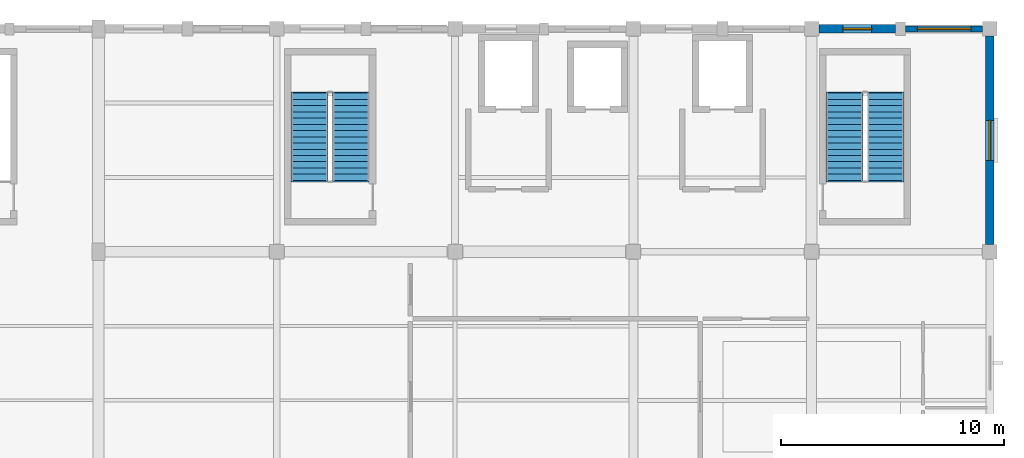
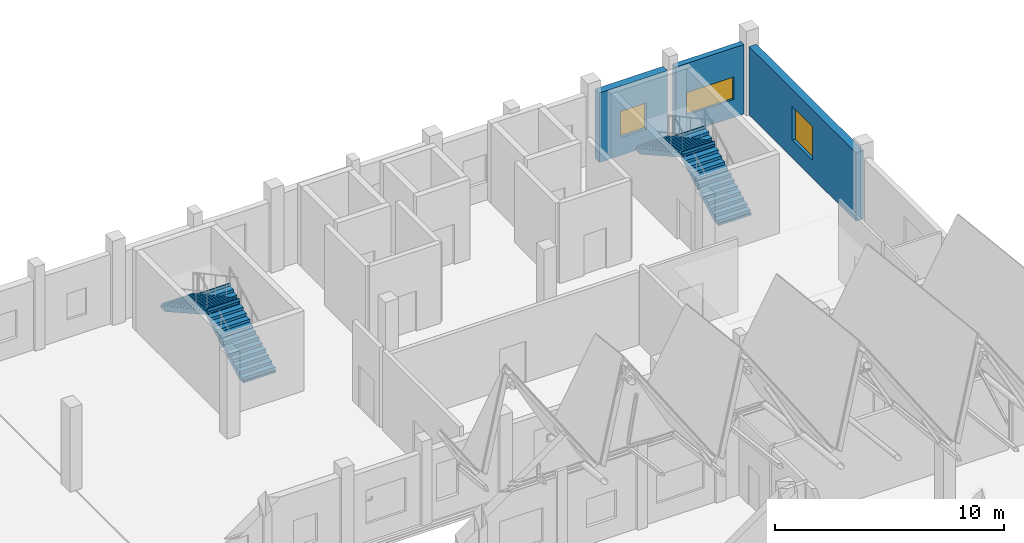
# One storey, part 36 of 48: 4 stair flights, 3 walls, 3 windows, 3 openings, 2 elements without a shape of their own.
"""IFC4 building model written with IfcOpenShell, lengths in metres."""

from ifc_helpers import new_model, si_unit, direction, frame, frame_2d, origin, place, context, subcontext, project, spatial, polyline, rectangle, outline, extrude, material, layer, layer_set, type_object, element, fill, aggregate, save


model = new_model("IFC4")

# Units and contexts
model_context = context("Model", 3, precision=1e-05, world=origin(), true_north=direction((0.0, 1.0)))
body_context = subcontext(model_context, "Body", "Model", "MODEL_VIEW")
ifc_project = project(units=[si_unit("LENGTHUNIT", "METRE"), si_unit("AREAUNIT", "SQUARE_METRE"), si_unit("VOLUMEUNIT", "CUBIC_METRE"), si_unit("PLANEANGLEUNIT", "RADIAN"), si_unit("MASSUNIT", "GRAM", prefix="KILO")], contexts=[model_context])

# Site, building, storey
site_placement = place(None, origin())
site = spatial("IfcSite", under=ifc_project, at=site_placement, CompositionType="ELEMENT")
building_placement = place(site_placement, origin())
building = spatial("IfcBuilding", under=site, at=building_placement, Name="Luwemba Playhouse", CompositionType="ELEMENT")
storey_placement = place(building_placement, frame((0.0, 0.0, 13.800048828125)))
storey = spatial("IfcBuildingStorey", under=building, at=storey_placement, Name="L03", CompositionType="ELEMENT", Elevation=13.800048828125)

# Wall, opening, window
ifc_material_1 = material(Name="Clay facing brick obra vista masonry", Category="masonry")
ifc_layer_1 = layer(ifc_material_1, 0.3798828125)
ifc_layer_set_1 = layer_set([ifc_layer_1], Name="Clay facing brick obra vista masonry")
wall_type_1 = type_object("IfcWallType", Name="WAL-BRK-380", PredefinedType="SOLIDWALL", material=ifc_layer_set_1)
wall_1_placement = place(storey_placement, frame((164.324951171875, 115.0, 0.0), z_axis=(0.0, 0.0, 1.0), x_axis=(1.0, 0.0, 0.0)))
wall_1 = element("IfcWall", 1, at=wall_1_placement, inside=storey, type_object=wall_type_1, Name="L03 V6E exterior facade wall 0460", PredefinedType="SOLIDWALL", context=body_context, shape_type="SweptSolid", body=[
    extrude(rectangle(XDim=3.449951171875, YDim=0.3798828125, at=frame_2d((1.72509765625, 0.0))), origin(), (0.0, 0.0, 1.0), 3.704833984375),
])
opening_1_placement = place(wall_1_placement, frame((1.074951171875, 0.0, 0.949951171875)))
opening_1 = element("IfcOpeningElement", 2, at=opening_1_placement, cuts=wall_1, Name="Opening WN-14", PredefinedType="OPENING", context=body_context, shape_type="SweptSolid", body=[
    extrude(rectangle(XDim=1.300048828125, YDim=1.39990234375, at=frame_2d((0.64990234375, 0.699951171875))), frame((0.0, 0.199951171875, 0.0), z_axis=(0.0, -1.0, 0.0), x_axis=(1.0, 0.0, 0.0)), (0.0, 0.0, 1.0), 0.39990234375),
])
ifc_material_2 = material(Name="Solar-control double glazing in aluminium frame", Category="aluminium")
window_type_1 = type_object("IfcWindowType", Name="WIN-WN-14", PartitioningType="SINGLE_PANEL", PredefinedType="WINDOW", material=ifc_material_2)
window_1_placement = place(opening_1_placement, origin())
window_1 = element("IfcWindow", 3, at=window_1_placement, inside=storey, type_object=window_type_1, Name="L03 V6E scheduled window 0400", OverallHeight=1.39990234375, OverallWidth=1.300048828125, PartitioningType="SINGLE_PANEL", PredefinedType="WINDOW", context=body_context, shape_type="SweptSolid", body=[
    extrude(rectangle(XDim=1.300048828125, YDim=1.39990234375, at=frame_2d((0.64990234375, 0.699951171875))), frame((0.0, 0.030029296875, 0.0), z_axis=(0.0, -1.0, 0.0), x_axis=(1.0, 0.0, 0.0)), (0.0, 0.0, 1.0), 0.06005859375),
])
fill(opening_1, window_1)

wall_2_placement = place(storey_placement, frame((172.0, 114.675048828125, 0.0), z_axis=(0.0, 0.0, 1.0), x_axis=(0.0, -1.0, 0.0)))
wall_2 = element("IfcWall", 4, at=wall_2_placement, inside=storey, type_object=wall_type_1, Name="L03 V6E exterior facade wall 0462", PredefinedType="SOLIDWALL", context=body_context, shape_type="SweptSolid", body=[
    extrude(rectangle(XDim=9.35009765625, YDim=0.3798828125, at=frame_2d((4.675048828125, 0.0))), origin(), (0.0, 0.0, 1.0), 3.655029296875),
])
opening_2_placement = place(wall_2_placement, frame((3.77490234375, 0.0, 0.949951171875)))
opening_2 = element("IfcOpeningElement", 5, at=opening_2_placement, cuts=wall_2, Name="Opening WN-04", PredefinedType="OPENING", context=body_context, shape_type="SweptSolid", body=[
    extrude(rectangle(XDim=1.800048828125, YDim=1.800048828125, at=frame_2d((0.89990234375, 0.89990234375))), frame((0.0, 0.199951171875, 0.0), z_axis=(0.0, -1.0, 0.0), x_axis=(1.0, 0.0, 0.0)), (0.0, 0.0, 1.0), 0.39990234375),
])
window_type_2 = type_object("IfcWindowType", Name="WIN-WN-04", PartitioningType="DOUBLE_PANEL_VERTICAL", PredefinedType="WINDOW", material=ifc_material_2)
window_2_placement = place(opening_2_placement, origin())
window_2 = element("IfcWindow", 6, at=window_2_placement, inside=storey, type_object=window_type_2, Name="L03 V6E scheduled window 0402", OverallHeight=1.800048828125, OverallWidth=1.800048828125, PartitioningType="DOUBLE_PANEL_VERTICAL", PredefinedType="WINDOW", context=body_context, shape_type="SweptSolid", body=[
    extrude(rectangle(XDim=1.800048828125, YDim=1.800048828125, at=frame_2d((0.89990234375, 0.89990234375))), frame((0.0, 0.030029296875, 0.0), z_axis=(0.0, -1.0, 0.0), x_axis=(1.0, 0.0, 0.0)), (0.0, 0.0, 1.0), 0.06005859375),
])
fill(opening_2, window_2)

ifc_material_3 = material(Name="Structural timber GL24h infill", Category="wood")
ifc_layer_2 = layer(ifc_material_3, 0.280029296875)
ifc_layer_set_2 = layer_set([ifc_layer_2], Name="Structural timber GL24h infill")
wall_type_2 = type_object("IfcWallType", Name="WAL-TIM-280", PredefinedType="SOLIDWALL", material=ifc_layer_set_2)
wall_3_placement = place(storey_placement, frame((168.22509765625, 115.0, 0.0), z_axis=(0.0, 0.0, 1.0), x_axis=(1.0, 0.0, 0.0)))
wall_3 = element("IfcWall", 7, at=wall_3_placement, inside=storey, type_object=wall_type_2, Name="L03 V6E exterior facade wall 0461", PredefinedType="SOLIDWALL", context=body_context, shape_type="SweptSolid", body=[
    extrude(rectangle(XDim=3.449951171875, YDim=0.280029296875, at=frame_2d((1.72509765625, 0.0))), origin(), (0.0, 0.0, 1.0), 3.704833984375),
])
opening_3_placement = place(wall_3_placement, frame((0.52490234375, 0.0, 0.949951171875)))
opening_3 = element("IfcOpeningElement", 8, at=opening_3_placement, cuts=wall_3, Name="Opening WN-17", PredefinedType="OPENING", context=body_context, shape_type="SweptSolid", body=[
    extrude(rectangle(XDim=2.39990234375, YDim=1.199951171875, at=frame_2d((1.199951171875, 0.60009765625))), frame((0.0, 0.14990234375, 0.0), z_axis=(0.0, -1.0, 0.0), x_axis=(1.0, 0.0, 0.0)), (0.0, 0.0, 1.0), 0.300048828125),
])
window_type_3 = type_object("IfcWindowType", Name="WIN-WN-17", PartitioningType="TRIPLE_PANEL_HORIZONTAL", PredefinedType="WINDOW", material=ifc_material_2)
window_3_placement = place(opening_3_placement, origin())
window_3 = element("IfcWindow", 9, at=window_3_placement, inside=storey, type_object=window_type_3, Name="L03 V6E scheduled window 0401", OverallHeight=1.199951171875, OverallWidth=2.39990234375, PartitioningType="TRIPLE_PANEL_HORIZONTAL", PredefinedType="WINDOW", context=body_context, shape_type="SweptSolid", body=[
    extrude(rectangle(XDim=2.39990234375, YDim=1.199951171875, at=frame_2d((1.199951171875, 0.60009765625))), frame((0.0, 0.030029296875, 0.0), z_axis=(0.0, -1.0, 0.0), x_axis=(1.0, 0.0, 0.0)), (0.0, 0.0, 1.0), 0.06005859375),
])
fill(opening_3, window_3)

# Stair, stair flights
ifc_material_4 = material(Name="Concrete C40/50", Category="concrete")
stair_type = type_object("IfcStairType", Name="STR-DL-04", PredefinedType="HALF_TURN_STAIR", material=ifc_material_4)
stair_1_placement = place(storey_placement, origin())
stair_1 = element("IfcStair", 10, at=stair_1_placement, inside=storey, type_object=stair_type, Name="L03 Conservatory Firefighting Escape Stair", PredefinedType="HALF_TURN_STAIR")
stair_flight_type = type_object("IfcStairFlightType", Name="SFL-DL-04", PredefinedType="STRAIGHT", material=ifc_material_4)
stair_flight_1_placement = place(storey_placement, frame((143.324951171875, 108.199951171875, 0.0), z_axis=(0.0, 0.0, 1.0), x_axis=(0.0, 1.0, 0.0)))
stair_flight_1 = element("IfcStairFlight", 11, at=stair_flight_1_placement, type_object=stair_flight_type, Name="ST-09 flight 1", NumberOfRisers=15, NumberOfTreads=14, PredefinedType="STRAIGHT", RiserHeight=0.15, TreadLength=0.28, context=body_context, shape_type="SweptSolid", body=[
    extrude(outline(polyline([(-0.06005859375, -0.10009765625), (-0.06005859375, 0.0), (0.0, 0.0), (0.0, 0.14990234375), (0.280029296875, 0.14990234375), (0.280029296875, 0.300048828125), (0.56005859375, 0.300048828125), (0.56005859375, 0.449951171875), (0.840087890625, 0.449951171875), (0.840087890625, 0.60009765625), (1.1201171875, 0.60009765625), (1.1201171875, 0.75), (1.39990234375, 0.75), (1.39990234375, 0.89990234375), (1.679931640625, 0.89990234375), (1.679931640625, 1.050048828125), (1.9599609375, 1.050048828125), (1.9599609375, 1.199951171875), (2.239990234375, 1.199951171875), (2.239990234375, 1.35009765625), (2.52001953125, 1.35009765625), (2.52001953125, 1.5), (2.800048828125, 1.5), (2.800048828125, 1.64990234375), (3.080078125, 1.64990234375), (3.080078125, 1.800048828125), (3.360107421875, 1.800048828125), (3.360107421875, 1.949951171875), (3.639892578125, 1.949951171875), (3.639892578125, 2.10009765625), (3.919921875, 2.10009765625), (3.919921875, 2.25), (3.97998046875, 2.25), (3.97998046875, 2.090087890625), (3.919921875, 1.929931640625), (0.3173828125, -0.10009765625), (-0.06005859375, -0.10009765625)])), frame((0.0, 0.824951171875, 0.0), z_axis=(0.0, -1.0, 0.0), x_axis=(1.0, 0.0, 0.0)), (0.0, 0.0, 1.0), 1.64990234375),
])
stair_flight_2_placement = place(storey_placement, frame((141.47509765625, 112.1201171875, 2.25), z_axis=(0.0, 0.0, 1.0), x_axis=(0.0, -1.0, 0.0)))
stair_flight_2 = element("IfcStairFlight", 12, at=stair_flight_2_placement, type_object=stair_flight_type, Name="ST-09 flight 2", NumberOfRisers=15, NumberOfTreads=14, PredefinedType="STRAIGHT", RiserHeight=0.15, TreadLength=0.28, context=body_context, shape_type="SweptSolid", body=[
    extrude(outline(polyline([(-0.06005859375, -0.10009765625), (-0.06005859375, 0.0), (0.0, 0.0), (0.0, 0.14990234375), (0.280029296875, 0.14990234375), (0.280029296875, 0.300048828125), (0.56005859375, 0.300048828125), (0.56005859375, 0.449951171875), (0.840087890625, 0.449951171875), (0.840087890625, 0.60009765625), (1.1201171875, 0.60009765625), (1.1201171875, 0.75), (1.39990234375, 0.75), (1.39990234375, 0.89990234375), (1.679931640625, 0.89990234375), (1.679931640625, 1.050048828125), (1.9599609375, 1.050048828125), (1.9599609375, 1.199951171875), (2.239990234375, 1.199951171875), (2.239990234375, 1.35009765625), (2.52001953125, 1.35009765625), (2.52001953125, 1.5), (2.800048828125, 1.5), (2.800048828125, 1.64990234375), (3.080078125, 1.64990234375), (3.080078125, 1.800048828125), (3.360107421875, 1.800048828125), (3.360107421875, 1.949951171875), (3.639892578125, 1.949951171875), (3.639892578125, 2.10009765625), (3.919921875, 2.10009765625), (3.919921875, 2.25), (3.97998046875, 2.25), (3.97998046875, 2.090087890625), (3.919921875, 1.929931640625), (0.3173828125, -0.10009765625), (-0.06005859375, -0.10009765625)])), frame((0.0, 0.824951171875, 0.0), z_axis=(0.0, -1.0, 0.0), x_axis=(1.0, 0.0, 0.0)), (0.0, 0.0, 1.0), 1.64990234375),
])
aggregate(stair_1, [stair_flight_1, stair_flight_2])

stair_2_placement = place(storey_placement, origin())
stair_2 = element("IfcStair", 13, at=stair_2_placement, inside=storey, type_object=stair_type, Name="L03 Conservatory East Escape Stair", PredefinedType="HALF_TURN_STAIR")
stair_flight_3_placement = place(storey_placement, frame((167.324951171875, 108.199951171875, 0.0), z_axis=(0.0, 0.0, 1.0), x_axis=(0.0, 1.0, 0.0)))
stair_flight_3 = element("IfcStairFlight", 14, at=stair_flight_3_placement, type_object=stair_flight_type, Name="ST-10 flight 1", NumberOfRisers=15, NumberOfTreads=14, PredefinedType="STRAIGHT", RiserHeight=0.15, TreadLength=0.28, context=body_context, shape_type="SweptSolid", body=[
    extrude(outline(polyline([(-0.06005859375, -0.10009765625), (-0.06005859375, 0.0), (0.0, 0.0), (0.0, 0.14990234375), (0.280029296875, 0.14990234375), (0.280029296875, 0.300048828125), (0.56005859375, 0.300048828125), (0.56005859375, 0.449951171875), (0.840087890625, 0.449951171875), (0.840087890625, 0.60009765625), (1.1201171875, 0.60009765625), (1.1201171875, 0.75), (1.39990234375, 0.75), (1.39990234375, 0.89990234375), (1.679931640625, 0.89990234375), (1.679931640625, 1.050048828125), (1.9599609375, 1.050048828125), (1.9599609375, 1.199951171875), (2.239990234375, 1.199951171875), (2.239990234375, 1.35009765625), (2.52001953125, 1.35009765625), (2.52001953125, 1.5), (2.800048828125, 1.5), (2.800048828125, 1.64990234375), (3.080078125, 1.64990234375), (3.080078125, 1.800048828125), (3.360107421875, 1.800048828125), (3.360107421875, 1.949951171875), (3.639892578125, 1.949951171875), (3.639892578125, 2.10009765625), (3.919921875, 2.10009765625), (3.919921875, 2.25), (3.97998046875, 2.25), (3.97998046875, 2.090087890625), (3.919921875, 1.929931640625), (0.3173828125, -0.10009765625), (-0.06005859375, -0.10009765625)])), frame((0.0, 0.824951171875, 0.0), z_axis=(0.0, -1.0, 0.0), x_axis=(1.0, 0.0, 0.0)), (0.0, 0.0, 1.0), 1.64990234375),
])
stair_flight_4_placement = place(storey_placement, frame((165.47509765625, 112.1201171875, 2.25), z_axis=(0.0, 0.0, 1.0), x_axis=(0.0, -1.0, 0.0)))
stair_flight_4 = element("IfcStairFlight", 15, at=stair_flight_4_placement, type_object=stair_flight_type, Name="ST-10 flight 2", NumberOfRisers=15, NumberOfTreads=14, PredefinedType="STRAIGHT", RiserHeight=0.15, TreadLength=0.28, context=body_context, shape_type="SweptSolid", body=[
    extrude(outline(polyline([(-0.06005859375, -0.10009765625), (-0.06005859375, 0.0), (0.0, 0.0), (0.0, 0.14990234375), (0.280029296875, 0.14990234375), (0.280029296875, 0.300048828125), (0.56005859375, 0.300048828125), (0.56005859375, 0.449951171875), (0.840087890625, 0.449951171875), (0.840087890625, 0.60009765625), (1.1201171875, 0.60009765625), (1.1201171875, 0.75), (1.39990234375, 0.75), (1.39990234375, 0.89990234375), (1.679931640625, 0.89990234375), (1.679931640625, 1.050048828125), (1.9599609375, 1.050048828125), (1.9599609375, 1.199951171875), (2.239990234375, 1.199951171875), (2.239990234375, 1.35009765625), (2.52001953125, 1.35009765625), (2.52001953125, 1.5), (2.800048828125, 1.5), (2.800048828125, 1.64990234375), (3.080078125, 1.64990234375), (3.080078125, 1.800048828125), (3.360107421875, 1.800048828125), (3.360107421875, 1.949951171875), (3.639892578125, 1.949951171875), (3.639892578125, 2.10009765625), (3.919921875, 2.10009765625), (3.919921875, 2.25), (3.97998046875, 2.25), (3.97998046875, 2.090087890625), (3.919921875, 1.929931640625), (0.3173828125, -0.10009765625), (-0.06005859375, -0.10009765625)])), frame((0.0, 0.824951171875, 0.0), z_axis=(0.0, -1.0, 0.0), x_axis=(1.0, 0.0, 0.0)), (0.0, 0.0, 1.0), 1.64990234375),
])
aggregate(stair_2, [stair_flight_3, stair_flight_4])

save(model, "model.ifc")
